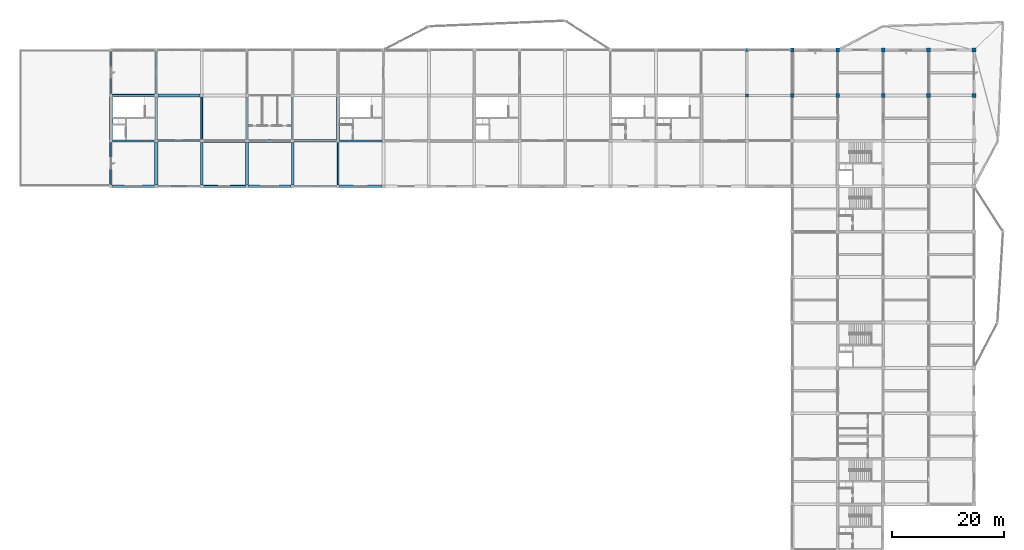
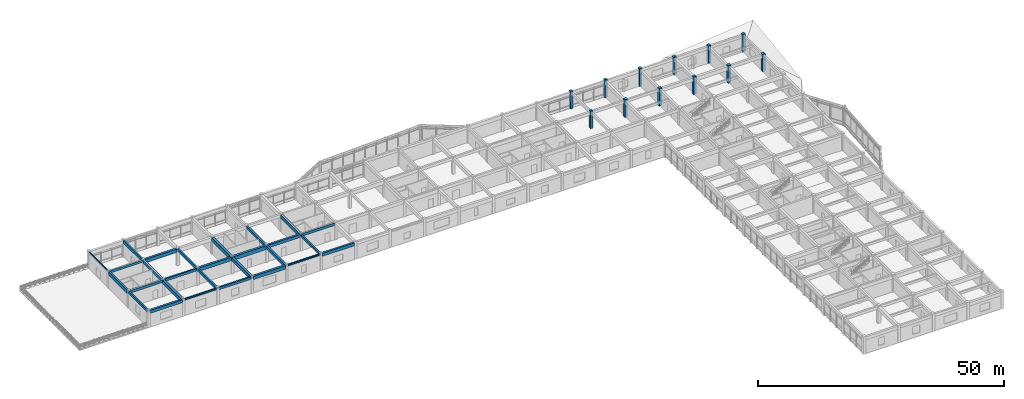
# One storey, part 7 of 40: 28 beams, 12 columns.
"""IFC4 building model written with IfcOpenShell, lengths in metres."""

from ifc_helpers import new_model, si_unit, direction, frame, origin, origin_2d, place, context, subcontext, project, spatial, rectangle, hollow_rectangle, i_section, extrude, material, material_profile, profile_set, type_object, element, save


model = new_model("IFC4")

# Units and contexts
model_context = context("Model", 3, precision=1e-05, world=origin(), true_north=direction((0.0, 1.0)))
body_context = subcontext(model_context, "Body", "Model", "MODEL_VIEW")
ifc_project = project(units=[si_unit("LENGTHUNIT", "METRE"), si_unit("AREAUNIT", "SQUARE_METRE"), si_unit("VOLUMEUNIT", "CUBIC_METRE"), si_unit("PLANEANGLEUNIT", "RADIAN"), si_unit("MASSUNIT", "GRAM", prefix="KILO")], contexts=[model_context])

# Site, building, storey
site_placement = place(None, origin())
site = spatial("IfcSite", under=ifc_project, at=site_placement, CompositionType="ELEMENT")
building_placement = place(site_placement, origin())
building = spatial("IfcBuilding", under=site, at=building_placement, Name="Vaudrelin Polytechnic", CompositionType="ELEMENT")
storey_placement = place(building_placement, frame((0.0, 0.0, 22.949951171875)))
storey = spatial("IfcBuildingStorey", under=building, at=storey_placement, Name="L05", CompositionType="ELEMENT", Elevation=22.949951171875)

# Columns
ifc_material_1 = material(Name="Concrete 40 MPa", Category="concrete")
ifc_material_profile_1 = material_profile(ifc_material_1, rectangle(XDim=0.550048828125, YDim=0.550048828125, at=origin_2d()), Name="RC550x550")
ifc_profile_set_1 = profile_set([ifc_material_profile_1], Name="Concrete 40 MPa")
column_type_1 = type_object("IfcColumnType", Name="COL-C-RC550", PredefinedType="COLUMN", material=ifc_profile_set_1)
for number, where, z_axis, x_axis, name in (
    (1, (129.60009765625, 113.39990234375, 0.0), (0.0, 0.0, 1.0), (1.0, 0.0, 0.0), "Column L05 17-15"),
    (2, (129.60009765625, 121.5, 0.0), (0.0, 0.0, 1.0), (1.0, 0.0, 0.0), "Column L05 17-16"),
):
    element("IfcColumn", number, at=place(storey_placement, frame(where, z_axis=z_axis, x_axis=x_axis)), inside=storey, type_object=column_type_1, Name=name, PredefinedType="COLUMN", context=body_context, shape_type="SweptSolid", body=[
        extrude(rectangle(XDim=0.550048828125, YDim=0.550048828125, at=origin_2d()), origin(), (0.0, 0.0, 1.0), 4.420166015625),
    ])
ifc_material_profile_2 = material_profile(ifc_material_1, rectangle(XDim=0.64990234375, YDim=0.64990234375, at=origin_2d()), Name="RC650x650")
ifc_profile_set_2 = profile_set([ifc_material_profile_2], Name="Concrete 40 MPa")
column_type_2 = type_object("IfcColumnType", Name="COL-C-RC650", PredefinedType="COLUMN", material=ifc_profile_set_2)
for number, where, z_axis, x_axis, name in (
    (3, (137.699951171875, 113.39990234375, 0.0), (0.0, 0.0, 1.0), (1.0, 0.0, 0.0), "Column L05 18-15"),
    (4, (137.699951171875, 121.5, 0.0), (0.0, 0.0, 1.0), (1.0, 0.0, 0.0), "Column L05 18-16"),
    (5, (145.800048828125, 113.39990234375, 0.0), (0.0, 0.0, 1.0), (1.0, 0.0, 0.0), "Column L05 19-15"),
    (6, (145.800048828125, 121.5, 0.0), (0.0, 0.0, 1.0), (1.0, 0.0, 0.0), "Column L05 19-16"),
    (7, (153.89990234375, 113.39990234375, 0.0), (0.0, 0.0, 1.0), (1.0, 0.0, 0.0), "Column L05 20-15"),
    (8, (153.89990234375, 121.5, 0.0), (0.0, 0.0, 1.0), (1.0, 0.0, 0.0), "Column L05 20-16"),
    (9, (162.0, 113.39990234375, 0.0), (0.0, 0.0, 1.0), (1.0, 0.0, 0.0), "Column L05 21-15"),
    (10, (162.0, 121.5, 0.0), (0.0, 0.0, 1.0), (1.0, 0.0, 0.0), "Column L05 21-16"),
    (11, (170.10009765625, 113.39990234375, 0.0), (0.0, 0.0, 1.0), (1.0, 0.0, 0.0), "Column L05 22-15"),
    (12, (170.10009765625, 121.5, 0.0), (0.0, 0.0, 1.0), (1.0, 0.0, 0.0), "Column L05 22-16"),
):
    element("IfcColumn", number, at=place(storey_placement, frame(where, z_axis=z_axis, x_axis=x_axis)), inside=storey, type_object=column_type_2, Name=name, PredefinedType="COLUMN", context=body_context, shape_type="SweptSolid", body=[
        extrude(rectangle(XDim=0.64990234375, YDim=0.64990234375, at=origin_2d()), origin(), (0.0, 0.0, 1.0), 4.420166015625),
    ])

# Beams
ifc_material_profile_3 = material_profile(ifc_material_1, rectangle(XDim=0.35009765625, YDim=0.60009765625, at=origin_2d()), Name="RC350x600")
ifc_profile_set_3 = profile_set([ifc_material_profile_3], Name="Concrete 40 MPa")
beam_type_1 = type_object("IfcBeamType", Name="BM-BM-RC3560", PredefinedType="BEAM", material=ifc_profile_set_3)
beam_1_placement = place(storey_placement, frame((16.199951171875, 97.4599609375, 3.860107421875), z_axis=(0.0, 1.0, 0.0), x_axis=(-1.0, 0.0, 0.0)))
element("IfcBeam", 13, at=beam_1_placement, inside=storey, type_object=beam_type_1, Name="L05 Y-beam 3-13", PredefinedType="BEAM", context=body_context, shape_type="SweptSolid", body=[
    extrude(rectangle(XDim=0.35009765625, YDim=0.60009765625, at=origin_2d()), origin(), (0.0, 0.0, 1.0), 7.580078125),
])
beam_2_placement = place(storey_placement, frame((32.39990234375, 105.56005859375, 3.860107421875), z_axis=(0.0, 1.0, 0.0), x_axis=(-1.0, 0.0, 0.0)))
element("IfcBeam", 14, at=beam_2_placement, inside=storey, type_object=beam_type_1, Name="L05 Y-beam 5-14", PredefinedType="BEAM", context=body_context, shape_type="SweptSolid", body=[
    extrude(rectangle(XDim=0.35009765625, YDim=0.60009765625, at=origin_2d()), origin(), (0.0, 0.0, 1.0), 7.579833984375),
])
beam_3_placement = place(storey_placement, frame((56.699951171875, 97.4599609375, 3.860107421875), z_axis=(0.0, 1.0, 0.0), x_axis=(-1.0, 0.0, 0.0)))
element("IfcBeam", 15, at=beam_3_placement, inside=storey, type_object=beam_type_1, Name="L05 Y-beam 8-13", PredefinedType="BEAM", context=body_context, shape_type="SweptSolid", body=[
    extrude(rectangle(XDim=0.35009765625, YDim=0.60009765625, at=origin_2d()), origin(), (0.0, 0.0, 1.0), 7.580078125),
])
beam_4_placement = place(storey_placement, frame((16.470947265625, 113.39990234375, 3.860107421875), z_axis=(1.0, 0.0, 0.0), x_axis=(0.0, 1.0, 0.0)))
element("IfcBeam", 16, at=beam_4_placement, inside=storey, type_object=beam_type_1, Name="L05 X-beam 3-15", PredefinedType="BEAM", context=body_context, shape_type="SweptSolid", body=[
    extrude(rectangle(XDim=0.35009765625, YDim=0.60009765625, at=origin_2d()), origin(), (0.0, 0.0, 1.0), 7.55810546875),
])
beam_5_placement = place(storey_placement, frame((24.571044921875, 105.300048828125, 3.860107421875), z_axis=(1.0, 0.0, 0.0), x_axis=(0.0, 1.0, 0.0)))
element("IfcBeam", 17, at=beam_5_placement, inside=storey, type_object=beam_type_1, Name="L05 X-beam 4-14", PredefinedType="BEAM", context=body_context, shape_type="SweptSolid", body=[
    extrude(rectangle(XDim=0.35009765625, YDim=0.60009765625, at=origin_2d()), origin(), (0.0, 0.0, 1.0), 7.557861328125),
])
beam_6_placement = place(storey_placement, frame((32.6708984375, 97.199951171875, 3.860107421875), z_axis=(1.0, 0.0, 0.0), x_axis=(0.0, 1.0, 0.0)))
element("IfcBeam", 18, at=beam_6_placement, inside=storey, type_object=beam_type_1, Name="L05 X-beam 5-13", PredefinedType="BEAM", context=body_context, shape_type="SweptSolid", body=[
    extrude(rectangle(XDim=0.35009765625, YDim=0.60009765625, at=origin_2d()), origin(), (0.0, 0.0, 1.0), 7.55810546875),
])
ifc_material_profile_4 = material_profile(ifc_material_1, rectangle(XDim=0.39990234375, YDim=0.64990234375, at=origin_2d()), Name="RC400x650")
ifc_profile_set_4 = profile_set([ifc_material_profile_4], Name="Concrete 40 MPa")
beam_type_2 = type_object("IfcBeamType", Name="BM-BM-RC4065", PredefinedType="BEAM", material=ifc_profile_set_4)
for number, where, z_axis, x_axis, name in (
    (19, (24.300048828125, 113.659912109375, 3.8349609375), (0.0, 1.0, 0.0), (-1.0, 0.0, 0.0), "L05 Y-beam 4-15"),
    (20, (32.39990234375, 97.4599609375, 3.8349609375), (0.0, 1.0, 0.0), (-1.0, 0.0, 0.0), "L05 Y-beam 5-13"),
):
    element("IfcBeam", number, at=place(storey_placement, frame(where, z_axis=z_axis, x_axis=x_axis)), inside=storey, type_object=beam_type_2, Name=name, PredefinedType="BEAM", context=body_context, shape_type="SweptSolid", body=[
        extrude(rectangle(XDim=0.39990234375, YDim=0.64990234375, at=origin_2d()), origin(), (0.0, 0.0, 1.0), 7.580078125),
    ])
beam_7_placement = place(storey_placement, frame((48.60009765625, 105.56005859375, 3.8349609375), z_axis=(0.0, 1.0, 0.0), x_axis=(-1.0, 0.0, 0.0)))
element("IfcBeam", 21, at=beam_7_placement, inside=storey, type_object=beam_type_2, Name="L05 Y-beam 7-14", PredefinedType="BEAM", context=body_context, shape_type="SweptSolid", body=[
    extrude(rectangle(XDim=0.39990234375, YDim=0.64990234375, at=origin_2d()), origin(), (0.0, 0.0, 1.0), 7.579833984375),
])
for number, where, z_axis, x_axis, name in (
    (22, (16.470947265625, 105.300048828125, 3.8349609375), (1.0, 0.0, 0.0), (0.0, 1.0, 0.0), "L05 X-beam 3-14"),
    (23, (56.970947265625, 105.300048828125, 3.8349609375), (1.0, 0.0, 0.0), (0.0, 1.0, 0.0), "L05 X-beam 8-14"),
):
    element("IfcBeam", number, at=place(storey_placement, frame(where, z_axis=z_axis, x_axis=x_axis)), inside=storey, type_object=beam_type_2, Name=name, PredefinedType="BEAM", context=body_context, shape_type="SweptSolid", body=[
        extrude(rectangle(XDim=0.39990234375, YDim=0.64990234375, at=origin_2d()), origin(), (0.0, 0.0, 1.0), 7.55810546875),
    ])
ifc_material_profile_5 = material_profile(ifc_material_1, rectangle(XDim=0.449951171875, YDim=0.75, at=origin_2d()), Name="RC450x750")
ifc_profile_set_5 = profile_set([ifc_material_profile_5], Name="Concrete 40 MPa")
beam_type_3 = type_object("IfcBeamType", Name="BM-BM-RC4575", PredefinedType="BEAM", material=ifc_profile_set_5)
beam_8_placement = place(storey_placement, frame((24.300048828125, 105.56005859375, 3.78515625), z_axis=(0.0, 1.0, 0.0), x_axis=(-1.0, 0.0, 0.0)))
element("IfcBeam", 24, at=beam_8_placement, inside=storey, type_object=beam_type_3, Name="L05 Y-beam 4-14", PredefinedType="BEAM", context=body_context, shape_type="SweptSolid", body=[
    extrude(rectangle(XDim=0.449951171875, YDim=0.75, at=origin_2d()), origin(), (0.0, 0.0, 1.0), 7.579833984375),
])
beam_9_placement = place(storey_placement, frame((48.60009765625, 97.4599609375, 3.78515625), z_axis=(0.0, 1.0, 0.0), x_axis=(-1.0, 0.0, 0.0)))
element("IfcBeam", 25, at=beam_9_placement, inside=storey, type_object=beam_type_3, Name="L05 Y-beam 7-13", PredefinedType="BEAM", context=body_context, shape_type="SweptSolid", body=[
    extrude(rectangle(XDim=0.449951171875, YDim=0.75, at=origin_2d()), origin(), (0.0, 0.0, 1.0), 7.580078125),
])
beam_10_placement = place(storey_placement, frame((16.470947265625, 97.199951171875, 3.78515625), z_axis=(1.0, 0.0, 0.0), x_axis=(0.0, 1.0, 0.0)))
element("IfcBeam", 26, at=beam_10_placement, inside=storey, type_object=beam_type_3, Name="L05 X-beam 3-13", PredefinedType="BEAM", context=body_context, shape_type="SweptSolid", body=[
    extrude(rectangle(XDim=0.449951171875, YDim=0.75, at=origin_2d()), origin(), (0.0, 0.0, 1.0), 7.55810546875),
])
beam_11_placement = place(storey_placement, frame((48.87109375, 105.300048828125, 3.78515625), z_axis=(1.0, 0.0, 0.0), x_axis=(0.0, 1.0, 0.0)))
element("IfcBeam", 27, at=beam_11_placement, inside=storey, type_object=beam_type_3, Name="L05 X-beam 7-14", PredefinedType="BEAM", context=body_context, shape_type="SweptSolid", body=[
    extrude(rectangle(XDim=0.449951171875, YDim=0.75, at=origin_2d()), origin(), (0.0, 0.0, 1.0), 7.557861328125),
])
beam_12_placement = place(storey_placement, frame((56.970947265625, 97.199951171875, 3.78515625), z_axis=(1.0, 0.0, 0.0), x_axis=(0.0, 1.0, 0.0)))
element("IfcBeam", 28, at=beam_12_placement, inside=storey, type_object=beam_type_3, Name="L05 X-beam 8-13", PredefinedType="BEAM", context=body_context, shape_type="SweptSolid", body=[
    extrude(rectangle(XDim=0.449951171875, YDim=0.75, at=origin_2d()), origin(), (0.0, 0.0, 1.0), 7.55810546875),
])
ifc_material_profile_6 = material_profile(ifc_material_1, rectangle(XDim=0.5, YDim=0.85009765625, at=origin_2d()), Name="RC500x850")
ifc_profile_set_6 = profile_set([ifc_material_profile_6], Name="Concrete 40 MPa")
beam_type_4 = type_object("IfcBeamType", Name="BM-BM-RC5085", PredefinedType="BEAM", material=ifc_profile_set_6)
beam_13_placement = place(storey_placement, frame((16.199951171875, 105.56005859375, 3.735107421875), z_axis=(0.0, 1.0, 0.0), x_axis=(-1.0, 0.0, 0.0)))
element("IfcBeam", 29, at=beam_13_placement, inside=storey, type_object=beam_type_4, Name="L05 Y-beam 3-14", PredefinedType="BEAM", context=body_context, shape_type="SweptSolid", body=[
    extrude(rectangle(XDim=0.5, YDim=0.85009765625, at=origin_2d()), origin(), (0.0, 0.0, 1.0), 7.579833984375),
])
beam_14_placement = place(storey_placement, frame((40.5, 97.4599609375, 3.735107421875), z_axis=(0.0, 1.0, 0.0), x_axis=(-1.0, 0.0, 0.0)))
element("IfcBeam", 30, at=beam_14_placement, inside=storey, type_object=beam_type_4, Name="L05 Y-beam 6-13", PredefinedType="BEAM", context=body_context, shape_type="SweptSolid", body=[
    extrude(rectangle(XDim=0.5, YDim=0.85009765625, at=origin_2d()), origin(), (0.0, 0.0, 1.0), 7.580078125),
])
beam_15_placement = place(storey_placement, frame((56.699951171875, 105.56005859375, 3.735107421875), z_axis=(0.0, 1.0, 0.0), x_axis=(-1.0, 0.0, 0.0)))
element("IfcBeam", 31, at=beam_15_placement, inside=storey, type_object=beam_type_4, Name="L05 Y-beam 8-14", PredefinedType="BEAM", context=body_context, shape_type="SweptSolid", body=[
    extrude(rectangle(XDim=0.5, YDim=0.85009765625, at=origin_2d()), origin(), (0.0, 0.0, 1.0), 7.579833984375),
])
beam_16_placement = place(storey_placement, frame((24.571044921875, 113.39990234375, 3.735107421875), z_axis=(1.0, 0.0, 0.0), x_axis=(0.0, 1.0, 0.0)))
element("IfcBeam", 32, at=beam_16_placement, inside=storey, type_object=beam_type_4, Name="L05 X-beam 4-15", PredefinedType="BEAM", context=body_context, shape_type="SweptSolid", body=[
    extrude(rectangle(XDim=0.5, YDim=0.85009765625, at=origin_2d()), origin(), (0.0, 0.0, 1.0), 7.557861328125),
])
for number, where, z_axis, x_axis, name in (
    (33, (32.6708984375, 105.300048828125, 3.735107421875), (1.0, 0.0, 0.0), (0.0, 1.0, 0.0), "L05 X-beam 5-14"),
    (34, (40.77099609375, 97.199951171875, 3.735107421875), (1.0, 0.0, 0.0), (0.0, 1.0, 0.0), "L05 X-beam 6-13"),
):
    element("IfcBeam", number, at=place(storey_placement, frame(where, z_axis=z_axis, x_axis=x_axis)), inside=storey, type_object=beam_type_4, Name=name, PredefinedType="BEAM", context=body_context, shape_type="SweptSolid", body=[
        extrude(rectangle(XDim=0.5, YDim=0.85009765625, at=origin_2d()), origin(), (0.0, 0.0, 1.0), 7.55810546875),
    ])
ifc_material_2 = material(Name="Concrete 50 MPa", Category="concrete")
ifc_material_profile_7 = material_profile(ifc_material_2, rectangle(XDim=0.550048828125, YDim=0.949951171875, at=origin_2d()), Name="RC550x950")
ifc_profile_set_7 = profile_set([ifc_material_profile_7], Name="Concrete 50 MPa")
beam_type_5 = type_object("IfcBeamType", Name="BM-BM-RC5595", PredefinedType="BEAM", material=ifc_profile_set_7)
beam_17_placement = place(storey_placement, frame((24.300048828125, 97.4599609375, 3.68505859375), z_axis=(0.0, 1.0, 0.0), x_axis=(-1.0, 0.0, 0.0)))
element("IfcBeam", 35, at=beam_17_placement, inside=storey, type_object=beam_type_5, Name="L05 Y-beam 4-13", PredefinedType="BEAM", context=body_context, shape_type="SweptSolid", body=[
    extrude(rectangle(XDim=0.550048828125, YDim=0.949951171875, at=origin_2d()), origin(), (0.0, 0.0, 1.0), 7.580078125),
])
beam_18_placement = place(storey_placement, frame((40.5, 105.56005859375, 3.68505859375), z_axis=(0.0, 1.0, 0.0), x_axis=(-1.0, 0.0, 0.0)))
element("IfcBeam", 36, at=beam_18_placement, inside=storey, type_object=beam_type_5, Name="L05 Y-beam 6-14", PredefinedType="BEAM", context=body_context, shape_type="SweptSolid", body=[
    extrude(rectangle(XDim=0.550048828125, YDim=0.949951171875, at=origin_2d()), origin(), (0.0, 0.0, 1.0), 7.579833984375),
])
beam_19_placement = place(storey_placement, frame((40.77099609375, 105.300048828125, 3.68505859375), z_axis=(1.0, 0.0, 0.0), x_axis=(0.0, 1.0, 0.0)))
element("IfcBeam", 37, at=beam_19_placement, inside=storey, type_object=beam_type_5, Name="L05 X-beam 6-14", PredefinedType="BEAM", context=body_context, shape_type="SweptSolid", body=[
    extrude(rectangle(XDim=0.550048828125, YDim=0.949951171875, at=origin_2d()), origin(), (0.0, 0.0, 1.0), 7.55810546875),
])
ifc_material_3 = material(Name="Steel CSA G40.21 350WT", Category="steel")
ifc_material_profile_8 = material_profile(ifc_material_3, i_section(OverallWidth=0.260009765625, OverallDepth=0.4150390625, WebThickness=0.010009765625, FlangeThickness=0.016845703125, FilletRadius=0.01611328125, at=origin_2d()), Name="W410x100")
ifc_profile_set_8 = profile_set([ifc_material_profile_8], Name="Steel CSA G40.21 350WT")
beam_type_6 = type_object("IfcBeamType", Name="BM-BM-W410H", PredefinedType="SPANDREL", material=ifc_profile_set_8)
for number, where, z_axis, x_axis, name in (
    (38, (24.571044921875, 97.199951171875, 3.95263671875), (1.0, 0.0, 0.0), (0.0, 1.0, 0.0), "L05 X-beam 4-13"),
    (39, (48.87109375, 97.199951171875, 3.95263671875), (1.0, 0.0, 0.0), (0.0, 1.0, 0.0), "L05 X-beam 7-13"),
):
    element("IfcBeam", number, at=place(storey_placement, frame(where, z_axis=z_axis, x_axis=x_axis)), inside=storey, type_object=beam_type_6, Name=name, PredefinedType="SPANDREL", context=body_context, shape_type="SweptSolid", body=[
        extrude(i_section(OverallWidth=0.260009765625, OverallDepth=0.4150390625, WebThickness=0.010009765625, FlangeThickness=0.016845703125, FilletRadius=0.01611328125, at=origin_2d()), origin(), (0.0, 0.0, 1.0), 7.557861328125),
    ])
ifc_material_profile_9 = material_profile(ifc_material_3, hollow_rectangle(XDim=0.202880859375, YDim=0.304931640625, WallThickness=0.010986328125, InnerFilletRadius=0.010986328125, OuterFilletRadius=0.022216796875, at=origin_2d()), Name="HSS305x203x11.1")
ifc_profile_set_9 = profile_set([ifc_material_profile_9], Name="Steel CSA G40.21 350WT")
beam_type_7 = type_object("IfcBeamType", Name="BM-SP-HSS30", PredefinedType="SPANDREL", material=ifc_profile_set_9)
beam_20_placement = place(storey_placement, frame((16.199951171875, 113.659912109375, 4.007568359375), z_axis=(0.0, 1.0, 0.0), x_axis=(-1.0, 0.0, 0.0)))
element("IfcBeam", 40, at=beam_20_placement, inside=storey, type_object=beam_type_7, Name="L05 Y-beam 3-15", PredefinedType="SPANDREL", context=body_context, shape_type="SweptSolid", body=[
    extrude(hollow_rectangle(XDim=0.202880859375, YDim=0.304931640625, WallThickness=0.010986328125, InnerFilletRadius=0.010986328125, OuterFilletRadius=0.022216796875, at=origin_2d()), origin(), (0.0, 0.0, 1.0), 7.580078125),
])

save(model, "model.ifc")
